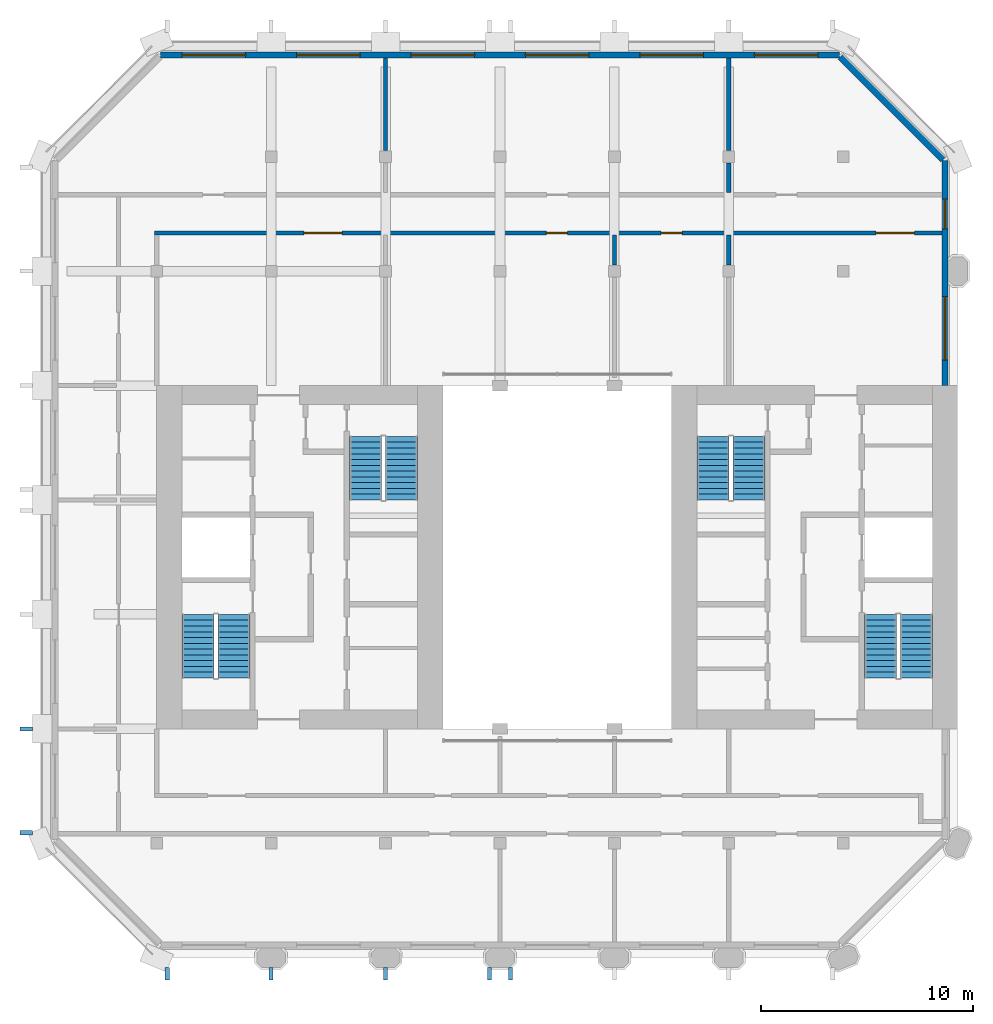
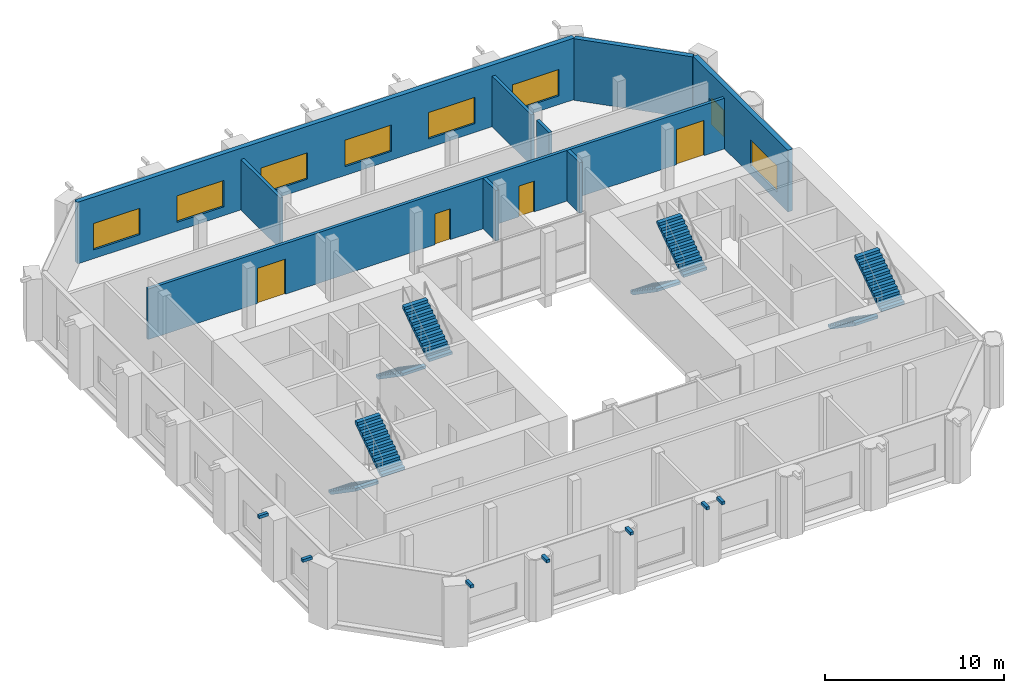
# One storey, part 9 of 12: 9 walls, 8 stair flights, 8 windows, 7 discrete accessories, 4 doors, 12 openings, 4 elements without a shape of their own.
"""IFC4 building model written with IfcOpenShell, lengths in metres."""

from ifc_helpers import new_model, si_unit, direction, frame, frame_2d, origin, origin_2d, place, context, subcontext, project, spatial, polyline, rectangle, outline, extrude, material, layer, layer_set, type_object, element, fill, aggregate, save


model = new_model("IFC4")

# Units and contexts
model_context = context("Model", 3, precision=1e-05, world=origin(), true_north=direction((0.0, 1.0)))
body_context = subcontext(model_context, "Body", "Model", "MODEL_VIEW")
ifc_project = project(units=[si_unit("LENGTHUNIT", "METRE"), si_unit("AREAUNIT", "SQUARE_METRE"), si_unit("VOLUMEUNIT", "CUBIC_METRE"), si_unit("PLANEANGLEUNIT", "RADIAN"), si_unit("MASSUNIT", "GRAM", prefix="KILO")], contexts=[model_context])

# Site, building, storey
site_placement = place(None, origin())
site = spatial("IfcSite", under=ifc_project, at=site_placement, CompositionType="ELEMENT")
building_placement = place(site_placement, origin())
building = spatial("IfcBuilding", under=site, at=building_placement, Name="Tabaq Tower and Sports Hall", CompositionType="ELEMENT")
storey_placement = place(building_placement, frame((0.0, 0.0, 317.199951171875)))
storey = spatial("IfcBuildingStorey", under=building, at=storey_placement, Name="L79", CompositionType="ELEMENT", Elevation=317.199951171875)

# Walls
ifc_material_1 = material(Name="Blockwork", Category="masonry")
ifc_layer_1 = layer(ifc_material_1, 0.199951171875)
ifc_layer_set_1 = layer_set([ifc_layer_1], Name="Fire compartment wall 200 Blockwork")
wall_type_1 = type_object("IfcWallType", Name="Fire compartment wall 200 Blockwork", PredefinedType="PARTITIONING", material=ifc_layer_set_1)
wall_1_placement = place(storey_placement, frame((32.39990234375, 47.84912109375, 0.0), z_axis=(0.0, 0.0, 1.0), x_axis=(0.0, -1.0, 0.0)))
element("IfcWall", 1, at=wall_1_placement, inside=storey, type_object=wall_type_1, Name="Compartment wall L79", PredefinedType="PARTITIONING", context=body_context, shape_type="SweptSolid", body=[
    extrude(rectangle(XDim=4.35400390625, YDim=0.199951171875, at=frame_2d((2.177001953125, 0.0))), origin(), (0.0, 0.0, 1.0), 3.449951171875),
])
wall_2_placement = place(storey_placement, frame((32.39990234375, 42.905029296875, 0.0), z_axis=(0.0, 0.0, 1.0), x_axis=(0.0, -1.0, 0.0)))
element("IfcWall", 2, at=wall_2_placement, inside=storey, type_object=wall_type_1, Name="Compartment wall L79", PredefinedType="PARTITIONING", context=body_context, shape_type="SweptSolid", body=[
    extrude(rectangle(XDim=1.405029296875, YDim=0.199951171875, at=frame_2d((0.70263671875, 0.0))), origin(), (0.0, 0.0, 1.0), 3.449951171875),
])
wall_3_placement = place(storey_placement, frame((16.199951171875, 47.84912109375, 0.0), z_axis=(0.0, 0.0, 1.0), x_axis=(0.0, -1.0, 0.0)))
element("IfcWall", 3, at=wall_3_placement, inside=storey, type_object=wall_type_1, Name="Compartment wall L79", PredefinedType="PARTITIONING", context=body_context, shape_type="SweptSolid", body=[
    extrude(rectangle(XDim=4.35400390625, YDim=0.199951171875, at=frame_2d((2.177001953125, 0.0))), origin(), (0.0, 0.0, 1.0), 3.449951171875),
])
for number, where, z_axis, x_axis, name in (
    (4, (32.39990234375, 38.094970703125, 0.0), (0.0, 0.0, 1.0), (0.0, 1.0, 0.0), "Compartment wall L79"),
    (5, (27.0, 39.5, 0.0), (0.0, 0.0, 1.0), (0.0, -1.0, 0.0), "Compartment wall L79"),
):
    element("IfcWall", number, at=place(storey_placement, frame(where, z_axis=z_axis, x_axis=x_axis)), inside=storey, type_object=wall_type_1, Name=name, PredefinedType="PARTITIONING", context=body_context, shape_type="SweptSolid", body=[
        extrude(rectangle(XDim=1.405029296875, YDim=0.199951171875, at=frame_2d((0.70263671875, 0.0))), origin(), (0.0, 0.0, 1.0), 3.449951171875),
    ])

# Wall, openings, doors
wall_4_placement = place(storey_placement, frame((42.448974609375, 39.60009765625, 0.0), z_axis=(0.0, 0.0, 1.0), x_axis=(-1.0, 0.0, 0.0)))
wall_4 = element("IfcWall", 6, at=wall_4_placement, inside=storey, type_object=wall_type_1, Name="Compartment wall L79", PredefinedType="PARTITIONING", context=body_context, shape_type="SweptSolid", body=[
    extrude(rectangle(XDim=37.14892578125, YDim=0.199951171875, at=frame_2d((18.574462890625, 0.0))), origin(), (0.0, 0.0, 1.0), 3.449951171875),
])
opening_1_placement = place(wall_4_placement, frame((12.2490234375, 0.0, 0.0)))
opening_1 = element("IfcOpeningElement", 7, at=opening_1_placement, cuts=wall_4, Name="Opening L79-005", PredefinedType="OPENING", context=body_context, shape_type="SweptSolid", body=[
    extrude(rectangle(XDim=1.0, YDim=2.10009765625, at=frame_2d((0.5, 1.050048828125))), frame((0.0, 0.10009765625, 0.0), z_axis=(0.0, -1.0, 0.0), x_axis=(1.0, 0.0, 0.0)), (0.0, 0.0, 1.0), 0.199951171875),
])
opening_2_placement = place(wall_4_placement, frame((17.666015625, 0.0, 0.0)))
opening_2 = element("IfcOpeningElement", 8, at=opening_2_placement, cuts=wall_4, Name="Opening L79-006", PredefinedType="OPENING", context=body_context, shape_type="SweptSolid", body=[
    extrude(rectangle(XDim=1.0, YDim=2.10009765625, at=frame_2d((0.5, 1.050048828125))), frame((0.0, 0.10009765625, 0.0), z_axis=(0.0, -1.0, 0.0), x_axis=(1.0, 0.0, 0.0)), (0.0, 0.0, 1.0), 0.199951171875),
])
opening_3_placement = place(wall_4_placement, frame((1.299072265625, 0.0, 0.0)))
opening_3 = element("IfcOpeningElement", 9, at=opening_3_placement, cuts=wall_4, Name="Opening L79-017", PredefinedType="OPENING", context=body_context, shape_type="SweptSolid", body=[
    extrude(rectangle(XDim=1.800048828125, YDim=2.39990234375, at=frame_2d((0.89990234375, 1.199951171875))), frame((0.0, 0.10009765625, 0.0), z_axis=(0.0, -1.0, 0.0), x_axis=(1.0, 0.0, 0.0)), (0.0, 0.0, 1.0), 0.199951171875),
])
opening_4_placement = place(wall_4_placement, frame((28.299072265625, 0.0, 0.0)))
opening_4 = element("IfcOpeningElement", 10, at=opening_4_placement, cuts=wall_4, Name="Opening L79-018", PredefinedType="OPENING", context=body_context, shape_type="SweptSolid", body=[
    extrude(rectangle(XDim=1.800048828125, YDim=2.39990234375, at=frame_2d((0.89990234375, 1.199951171875))), frame((0.0, 0.10009765625, 0.0), z_axis=(0.0, -1.0, 0.0), x_axis=(1.0, 0.0, 0.0)), (0.0, 0.0, 1.0), 0.199951171875),
])
ifc_material_2 = material(Name="Steel fire door", Category="steel")
door_type_1 = type_object("IfcDoorType", Name="Plant room door 1000 left hand", OperationType="SINGLE_SWING_LEFT", PredefinedType="DOOR", material=ifc_material_2)
door_1_placement = place(opening_2_placement, origin())
door_1 = element("IfcDoor", 11, at=door_1_placement, inside=storey, type_object=door_type_1, Name="Plant room door L79-006", OperationType="SINGLE_SWING_LEFT", OverallHeight=2.10009765625, OverallWidth=1.0, PredefinedType="DOOR", context=body_context, shape_type="SweptSolid", body=[
    extrude(rectangle(XDim=1.0, YDim=2.10009765625, at=frame_2d((0.5, 1.050048828125))), frame((0.0, 0.02490234375, 0.0), z_axis=(0.0, -1.0, 0.0), x_axis=(1.0, 0.0, 0.0)), (0.0, 0.0, 1.0), 0.050048828125),
])
fill(opening_2, door_1)
ifc_material_3 = material(Name="Steel fire door", Category="steel")
door_type_2 = type_object("IfcDoorType", Name="Plant room door 1000 right hand", OperationType="SINGLE_SWING_RIGHT", PredefinedType="DOOR", material=ifc_material_3)
door_2_placement = place(opening_1_placement, origin())
door_2 = element("IfcDoor", 12, at=door_2_placement, inside=storey, type_object=door_type_2, Name="Plant room door L79-005", OperationType="SINGLE_SWING_RIGHT", OverallHeight=2.10009765625, OverallWidth=1.0, PredefinedType="DOOR", context=body_context, shape_type="SweptSolid", body=[
    extrude(rectangle(XDim=1.0, YDim=2.10009765625, at=frame_2d((0.5, 1.050048828125))), frame((0.0, 0.02490234375, 0.0), z_axis=(0.0, -1.0, 0.0), x_axis=(1.0, 0.0, 0.0)), (0.0, 0.0, 1.0), 0.050048828125),
])
fill(opening_1, door_2)
ifc_material_4 = material(Name="Steel fire door", Category="steel")
door_type_3 = type_object("IfcDoorType", Name="Plant room door 1800", OperationType="DOUBLE_DOOR_SINGLE_SWING", PredefinedType="DOOR", material=ifc_material_4)
door_3_placement = place(opening_3_placement, origin())
door_3 = element("IfcDoor", 13, at=door_3_placement, inside=storey, type_object=door_type_3, Name="Plant room door L79-017", OperationType="DOUBLE_DOOR_SINGLE_SWING", OverallHeight=2.39990234375, OverallWidth=1.800048828125, PredefinedType="DOOR", context=body_context, shape_type="SweptSolid", body=[
    extrude(rectangle(XDim=1.800048828125, YDim=2.39990234375, at=frame_2d((0.89990234375, 1.199951171875))), frame((0.0, 0.02490234375, 0.0), z_axis=(0.0, -1.0, 0.0), x_axis=(1.0, 0.0, 0.0)), (0.0, 0.0, 1.0), 0.050048828125),
])
fill(opening_3, door_3)
door_4_placement = place(opening_4_placement, origin())
door_4 = element("IfcDoor", 14, at=door_4_placement, inside=storey, type_object=door_type_3, Name="Plant room door L79-018", OperationType="DOUBLE_DOOR_SINGLE_SWING", OverallHeight=2.39990234375, OverallWidth=1.800048828125, PredefinedType="DOOR", context=body_context, shape_type="SweptSolid", body=[
    extrude(rectangle(XDim=1.800048828125, YDim=2.39990234375, at=frame_2d((0.89990234375, 1.199951171875))), frame((0.0, 0.02490234375, 0.0), z_axis=(0.0, -1.0, 0.0), x_axis=(1.0, 0.0, 0.0)), (0.0, 0.0, 1.0), 0.050048828125),
])
fill(opening_4, door_4)

# Wall, openings, windows
ifc_material_5 = material(Name="White precast concrete C60/75", Category="concrete")
ifc_layer_2 = layer(ifc_material_5, 0.300048828125)
ifc_layer_set_2 = layer_set([ifc_layer_2], Name="White precast concrete C60/75 external wall 300")
wall_type_2 = type_object("IfcWallType", Name="White precast concrete C60/75 external wall 300", PredefinedType="SOLIDWALL", material=ifc_layer_set_2)
wall_5_placement = place(storey_placement, frame((42.60009765625, 32.39990234375, 0.0), z_axis=(0.0, 0.0, 1.0), x_axis=(0.0, 1.0, 0.0)))
wall_5 = element("IfcWall", 15, at=wall_5_placement, inside=storey, type_object=wall_type_2, Name="External Wall L79 E", PredefinedType="SOLIDWALL", context=body_context, shape_type="SweptSolid", body=[
    extrude(outline(polyline([(0.0, 0.0), (10.61376953125, 0.0), (10.613525390625, 4.199951171875), (10.02392578125, 4.199951171875), (9.434326171875, 4.199951171875), (8.8447265625, 4.199951171875), (8.255126953125, 4.199951171875), (7.665283203125, 4.199951171875), (7.07568359375, 4.199951171875), (6.486083984375, 4.199951171875), (5.896484375, 4.199951171875), (5.306884765625, 4.199951171875), (4.717041015625, 4.199951171875), (4.12744140625, 4.199951171875), (3.537841796875, 4.199951171875), (2.9482421875, 4.199951171875), (2.358642578125, 4.199951171875), (1.76904296875, 4.199951171875), (1.17919921875, 4.199951171875), (0.589599609375, 4.199951171875), (0.0, 4.199951171875), (0.0, 0.0)])), frame((0.0, 0.14990234375, 0.0), z_axis=(0.0, -1.0, 0.0), x_axis=(1.0, 0.0, 0.0)), (0.0, 0.0, 1.0), 0.300048828125),
])
opening_5_placement = place(wall_5_placement, frame((1.199951171875, 0.0, 0.60009765625)))
opening_5 = element("IfcOpeningElement", 16, at=opening_5_placement, cuts=wall_5, Name="Opening LV1", PredefinedType="OPENING", context=body_context, shape_type="SweptSolid", body=[
    extrude(rectangle(XDim=3.0, YDim=1.800048828125, at=frame_2d((1.5, 0.89990234375))), frame((0.0, 0.16015625, 0.0), z_axis=(0.0, -1.0, 0.0), x_axis=(1.0, 0.0, 0.0)), (0.0, 0.0, 1.0), 0.320068359375),
])
opening_6_placement = place(wall_5_placement, frame((7.396484375, 0.0, 0.60009765625)))
opening_6 = element("IfcOpeningElement", 17, at=opening_6_placement, cuts=wall_5, Name="Opening LV3", PredefinedType="OPENING", context=body_context, shape_type="SweptSolid", body=[
    extrude(rectangle(XDim=1.39990234375, YDim=1.800048828125, at=frame_2d((0.699951171875, 0.89990234375))), frame((0.0, 0.16015625, 0.0), z_axis=(0.0, -1.0, 0.0), x_axis=(1.0, 0.0, 0.0)), (0.0, 0.0, 1.0), 0.320068359375),
])
ifc_material_6 = material(Name="Aluminium alloy 6063-T6 louvre blades", Category="aluminium")
window_type_1 = type_object("IfcWindowType", Name="Plant louvre LV1", PartitioningType="SINGLE_PANEL", PredefinedType="WINDOW", material=ifc_material_6)
window_1_placement = place(opening_5_placement, origin())
window_1 = element("IfcWindow", 18, at=window_1_placement, inside=storey, type_object=window_type_1, Name="Plant louvre L79", OverallHeight=1.800048828125, OverallWidth=3.0, PartitioningType="SINGLE_PANEL", PredefinedType="WINDOW", context=body_context, shape_type="SweptSolid", body=[
    extrude(rectangle(XDim=3.0, YDim=1.800048828125, at=frame_2d((1.5, 0.89990234375))), frame((0.0, 0.030029296875, 0.0), z_axis=(0.0, -1.0, 0.0), x_axis=(1.0, 0.0, 0.0)), (0.0, 0.0, 1.0), 0.06005859375),
])
fill(opening_5, window_1)
ifc_material_7 = material(Name="Aluminium alloy 6063-T6 louvre blades", Category="aluminium")
window_type_2 = type_object("IfcWindowType", Name="Plant louvre LV3", PartitioningType="SINGLE_PANEL", PredefinedType="WINDOW", material=ifc_material_7)
window_2_placement = place(opening_6_placement, origin())
window_2 = element("IfcWindow", 19, at=window_2_placement, inside=storey, type_object=window_type_2, Name="Plant louvre L79", OverallHeight=1.800048828125, OverallWidth=1.39990234375, PartitioningType="SINGLE_PANEL", PredefinedType="WINDOW", context=body_context, shape_type="SweptSolid", body=[
    extrude(rectangle(XDim=1.39990234375, YDim=1.800048828125, at=frame_2d((0.699951171875, 0.89990234375))), frame((0.0, 0.030029296875, 0.0), z_axis=(0.0, -1.0, 0.0), x_axis=(1.0, 0.0, 0.0)), (0.0, 0.0, 1.0), 0.06005859375),
])
fill(opening_6, window_2)

# Wall
wall_6_placement = place(storey_placement, frame((42.5009765625, 43.050537109375, 0.0), z_axis=(0.0, 0.0, 1.0), x_axis=(-0.707106781187, 0.707106781187, 0.0)))
element("IfcWall", 20, at=wall_6_placement, inside=storey, type_object=wall_type_2, Name="External Wall L79 NE", PredefinedType="SOLIDWALL", context=body_context, shape_type="SweptSolid", body=[
    extrude(outline(polyline([(0.0, 0.0), (6.85986328125, 0.0), (6.859619140625, 4.199951171875), (6.2880859375, 4.199951171875), (5.71630859375, 4.199951171875), (5.144775390625, 4.199951171875), (4.5732421875, 4.199951171875), (4.00146484375, 4.199951171875), (3.429931640625, 4.199951171875), (2.858154296875, 4.199951171875), (2.28662109375, 4.199951171875), (1.71484375, 4.199951171875), (1.143310546875, 4.199951171875), (0.571533203125, 4.199951171875), (0.0, 4.199951171875), (0.0, 0.0)])), frame((0.0, 0.14990234375, 0.0), z_axis=(0.0, -1.0, 0.0), x_axis=(1.0, 0.0, 0.0)), (0.0, 0.0, 1.0), 0.300048828125),
])

# Wall, openings, windows
wall_7_placement = place(storey_placement, frame((37.613525390625, 48.0, 0.0), z_axis=(0.0, 0.0, 1.0), x_axis=(-1.0, 0.0, 0.0)))
wall_7 = element("IfcWall", 21, at=wall_7_placement, inside=storey, type_object=wall_type_2, Name="External Wall L79 N", PredefinedType="SOLIDWALL", context=body_context, shape_type="SweptSolid", body=[
    extrude(outline(polyline([(0.0, 0.0), (32.027099609375, 0.0), (32.027099609375, 4.199951171875), (31.43408203125, 4.199951171875), (30.841064453125, 4.199951171875), (30.247802734375, 4.199951171875), (29.65478515625, 4.199951171875), (29.061767578125, 4.199951171875), (28.46875, 4.199951171875), (27.87548828125, 4.199951171875), (27.282470703125, 4.199951171875), (26.689453125, 4.199951171875), (26.09619140625, 4.199951171875), (25.503173828125, 4.199951171875), (24.91015625, 4.199951171875), (24.31689453125, 4.199951171875), (23.723876953125, 4.199951171875), (23.130859375, 4.199951171875), (22.53759765625, 4.199951171875), (21.944580078125, 4.199951171875), (21.3515625, 4.199951171875), (20.75830078125, 4.199951171875), (20.165283203125, 4.199951171875), (19.572265625, 4.199951171875), (18.97900390625, 4.199951171875), (18.385986328125, 4.199951171875), (17.79296875, 4.199951171875), (17.19970703125, 4.199951171875), (16.606689453125, 4.199951171875), (16.013671875, 4.199951171875), (15.42041015625, 4.199951171875), (14.827392578125, 4.199951171875), (14.234375, 4.199951171875), (13.64111328125, 4.199951171875), (13.048095703125, 4.199951171875), (12.455078125, 4.199951171875), (11.86181640625, 4.199951171875), (11.268798828125, 4.199951171875), (10.67578125, 4.199951171875), (10.08251953125, 4.199951171875), (9.489501953125, 4.199951171875), (8.896484375, 4.199951171875), (8.303466796875, 4.199951171875), (7.710205078125, 4.199951171875), (7.1171875, 4.199951171875), (6.524169921875, 4.199951171875), (5.930908203125, 4.199951171875), (5.337890625, 4.199951171875), (4.744873046875, 4.199951171875), (4.151611328125, 4.199951171875), (3.55859375, 4.199951171875), (2.965576171875, 4.199951171875), (2.372314453125, 4.199951171875), (1.779296875, 4.199951171875), (1.186279296875, 4.199951171875), (0.593017578125, 4.199951171875), (0.0, 4.199951171875), (0.0, 0.0)])), frame((0.0, 0.14990234375, 0.0), z_axis=(0.0, -1.0, 0.0), x_axis=(1.0, 0.0, 0.0)), (0.0, 0.0, 1.0), 0.300048828125),
])
opening_7_placement = place(wall_7_placement, frame((1.013671875, 0.0, 0.60009765625)))
opening_7 = element("IfcOpeningElement", 22, at=opening_7_placement, cuts=wall_7, Name="Opening LV1", PredefinedType="OPENING", context=body_context, shape_type="SweptSolid", body=[
    extrude(rectangle(XDim=3.0, YDim=1.800048828125, at=frame_2d((1.5, 0.89990234375))), frame((0.0, 0.16015625, 0.0), z_axis=(0.0, -1.0, 0.0), x_axis=(1.0, 0.0, 0.0)), (0.0, 0.0, 1.0), 0.320068359375),
])
opening_8_placement = place(wall_7_placement, frame((6.41357421875, 0.0, 0.60009765625)))
opening_8 = element("IfcOpeningElement", 23, at=opening_8_placement, cuts=wall_7, Name="Opening LV1", PredefinedType="OPENING", context=body_context, shape_type="SweptSolid", body=[
    extrude(rectangle(XDim=3.0, YDim=1.800048828125, at=frame_2d((1.5, 0.89990234375))), frame((0.0, 0.16015625, 0.0), z_axis=(0.0, -1.0, 0.0), x_axis=(1.0, 0.0, 0.0)), (0.0, 0.0, 1.0), 0.320068359375),
])
opening_9_placement = place(wall_7_placement, frame((11.813720703125, 0.0, 0.60009765625)))
opening_9 = element("IfcOpeningElement", 24, at=opening_9_placement, cuts=wall_7, Name="Opening LV1", PredefinedType="OPENING", context=body_context, shape_type="SweptSolid", body=[
    extrude(rectangle(XDim=3.0, YDim=1.800048828125, at=frame_2d((1.5, 0.89990234375))), frame((0.0, 0.16015625, 0.0), z_axis=(0.0, -1.0, 0.0), x_axis=(1.0, 0.0, 0.0)), (0.0, 0.0, 1.0), 0.320068359375),
])
opening_10_placement = place(wall_7_placement, frame((17.213623046875, 0.0, 0.60009765625)))
opening_10 = element("IfcOpeningElement", 25, at=opening_10_placement, cuts=wall_7, Name="Opening LV1", PredefinedType="OPENING", context=body_context, shape_type="SweptSolid", body=[
    extrude(rectangle(XDim=3.0, YDim=1.800048828125, at=frame_2d((1.5, 0.89990234375))), frame((0.0, 0.16015625, 0.0), z_axis=(0.0, -1.0, 0.0), x_axis=(1.0, 0.0, 0.0)), (0.0, 0.0, 1.0), 0.320068359375),
])
opening_11_placement = place(wall_7_placement, frame((22.613525390625, 0.0, 0.60009765625)))
opening_11 = element("IfcOpeningElement", 26, at=opening_11_placement, cuts=wall_7, Name="Opening LV1", PredefinedType="OPENING", context=body_context, shape_type="SweptSolid", body=[
    extrude(rectangle(XDim=3.0, YDim=1.800048828125, at=frame_2d((1.5, 0.89990234375))), frame((0.0, 0.16015625, 0.0), z_axis=(0.0, -1.0, 0.0), x_axis=(1.0, 0.0, 0.0)), (0.0, 0.0, 1.0), 0.320068359375),
])
opening_12_placement = place(wall_7_placement, frame((28.013671875, 0.0, 0.60009765625)))
opening_12 = element("IfcOpeningElement", 27, at=opening_12_placement, cuts=wall_7, Name="Opening LV1", PredefinedType="OPENING", context=body_context, shape_type="SweptSolid", body=[
    extrude(rectangle(XDim=3.0, YDim=1.800048828125, at=frame_2d((1.5, 0.89990234375))), frame((0.0, 0.16015625, 0.0), z_axis=(0.0, -1.0, 0.0), x_axis=(1.0, 0.0, 0.0)), (0.0, 0.0, 1.0), 0.320068359375),
])
window_3_placement = place(opening_7_placement, origin())
window_3 = element("IfcWindow", 28, at=window_3_placement, inside=storey, type_object=window_type_1, Name="Plant louvre L79", OverallHeight=1.800048828125, OverallWidth=3.0, PartitioningType="SINGLE_PANEL", PredefinedType="WINDOW", context=body_context, shape_type="SweptSolid", body=[
    extrude(rectangle(XDim=3.0, YDim=1.800048828125, at=frame_2d((1.5, 0.89990234375))), frame((0.0, 0.030029296875, 0.0), z_axis=(0.0, -1.0, 0.0), x_axis=(1.0, 0.0, 0.0)), (0.0, 0.0, 1.0), 0.06005859375),
])
fill(opening_7, window_3)
window_4_placement = place(opening_8_placement, origin())
window_4 = element("IfcWindow", 29, at=window_4_placement, inside=storey, type_object=window_type_1, Name="Plant louvre L79", OverallHeight=1.800048828125, OverallWidth=3.0, PartitioningType="SINGLE_PANEL", PredefinedType="WINDOW", context=body_context, shape_type="SweptSolid", body=[
    extrude(rectangle(XDim=3.0, YDim=1.800048828125, at=frame_2d((1.5, 0.89990234375))), frame((0.0, 0.030029296875, 0.0), z_axis=(0.0, -1.0, 0.0), x_axis=(1.0, 0.0, 0.0)), (0.0, 0.0, 1.0), 0.06005859375),
])
fill(opening_8, window_4)
window_5_placement = place(opening_9_placement, origin())
window_5 = element("IfcWindow", 30, at=window_5_placement, inside=storey, type_object=window_type_1, Name="Plant louvre L79", OverallHeight=1.800048828125, OverallWidth=3.0, PartitioningType="SINGLE_PANEL", PredefinedType="WINDOW", context=body_context, shape_type="SweptSolid", body=[
    extrude(rectangle(XDim=3.0, YDim=1.800048828125, at=frame_2d((1.5, 0.89990234375))), frame((0.0, 0.030029296875, 0.0), z_axis=(0.0, -1.0, 0.0), x_axis=(1.0, 0.0, 0.0)), (0.0, 0.0, 1.0), 0.06005859375),
])
fill(opening_9, window_5)
window_6_placement = place(opening_10_placement, origin())
window_6 = element("IfcWindow", 31, at=window_6_placement, inside=storey, type_object=window_type_1, Name="Plant louvre L79", OverallHeight=1.800048828125, OverallWidth=3.0, PartitioningType="SINGLE_PANEL", PredefinedType="WINDOW", context=body_context, shape_type="SweptSolid", body=[
    extrude(rectangle(XDim=3.0, YDim=1.800048828125, at=frame_2d((1.5, 0.89990234375))), frame((0.0, 0.030029296875, 0.0), z_axis=(0.0, -1.0, 0.0), x_axis=(1.0, 0.0, 0.0)), (0.0, 0.0, 1.0), 0.06005859375),
])
fill(opening_10, window_6)
window_7_placement = place(opening_11_placement, origin())
window_7 = element("IfcWindow", 32, at=window_7_placement, inside=storey, type_object=window_type_1, Name="Plant louvre L79", OverallHeight=1.800048828125, OverallWidth=3.0, PartitioningType="SINGLE_PANEL", PredefinedType="WINDOW", context=body_context, shape_type="SweptSolid", body=[
    extrude(rectangle(XDim=3.0, YDim=1.800048828125, at=frame_2d((1.5, 0.89990234375))), frame((0.0, 0.030029296875, 0.0), z_axis=(0.0, -1.0, 0.0), x_axis=(1.0, 0.0, 0.0)), (0.0, 0.0, 1.0), 0.06005859375),
])
fill(opening_11, window_7)
window_8_placement = place(opening_12_placement, origin())
window_8 = element("IfcWindow", 33, at=window_8_placement, inside=storey, type_object=window_type_1, Name="Plant louvre L79", OverallHeight=1.800048828125, OverallWidth=3.0, PartitioningType="SINGLE_PANEL", PredefinedType="WINDOW", context=body_context, shape_type="SweptSolid", body=[
    extrude(rectangle(XDim=3.0, YDim=1.800048828125, at=frame_2d((1.5, 0.89990234375))), frame((0.0, 0.030029296875, 0.0), z_axis=(0.0, -1.0, 0.0), x_axis=(1.0, 0.0, 0.0)), (0.0, 0.0, 1.0), 0.06005859375),
])
fill(opening_12, window_8)

# Stair, stair flights
ifc_material_8 = material(Name="Concrete C40/50", Category="concrete")
stair_type = type_object("IfcStairType", Name="Exit stair", PredefinedType="HALF_TURN_STAIR", material=ifc_material_8)
stair_1_placement = place(storey_placement, origin())
stair_1 = element("IfcStair", 34, at=stair_1_placement, inside=storey, type_object=stair_type, Name="L79 Exit stair ST1", PredefinedType="HALF_TURN_STAIR")
ifc_material_9 = material(Name="Concrete C40/50", Category="concrete")
stair_flight_type = type_object("IfcStairFlightType", Name="Exit stair flight", PredefinedType="STRAIGHT", material=ifc_material_9)
stair_flight_1_placement = place(storey_placement, frame((7.35009765625, 21.60009765625, 0.0), z_axis=(0.0, 0.0, 1.0), x_axis=(0.0, -1.0, 0.0)))
stair_flight_1 = element("IfcStairFlight", 35, at=stair_flight_1_placement, type_object=stair_flight_type, Name="ST1 flight 1", NumberOfRisers=12, NumberOfTreads=11, PredefinedType="STRAIGHT", RiserHeight=0.1875, TreadLength=0.272727273, context=body_context, shape_type="SweptSolid", body=[
    extrude(outline(polyline([(0.0, 0.0), (0.0, 0.1875), (0.272705078125, 0.1875), (0.272705078125, 0.375), (0.54541015625, 0.375), (0.54541015625, 0.5625), (0.818115234375, 0.5625), (0.818115234375, 0.75), (1.0908203125, 0.75), (1.0908203125, 0.9375), (1.363525390625, 0.9375), (1.363525390625, 1.125), (1.636474609375, 1.125), (1.636474609375, 1.3125), (1.9091796875, 1.3125), (1.9091796875, 1.5), (2.181884765625, 1.5), (2.181884765625, 1.6875), (2.45458984375, 1.6875), (2.45458984375, 1.875), (2.727294921875, 1.875), (2.727294921875, 2.0625), (3.0, 2.0625), (3.0, 2.25), (3.0, 1.880615234375), (0.2646484375, 0.0), (0.0, 0.0)])), frame((0.0, 0.75, 0.0), z_axis=(0.0, -1.0, 0.0), x_axis=(1.0, 0.0, 0.0)), (0.0, 0.0, 1.0), 1.5),
])
stair_flight_2_placement = place(storey_placement, frame((9.050048828125, 18.60009765625, 2.25), z_axis=(0.0, 0.0, 1.0), x_axis=(0.0, 1.0, 0.0)))
stair_flight_2 = element("IfcStairFlight", 36, at=stair_flight_2_placement, type_object=stair_flight_type, Name="ST1 flight 2", NumberOfRisers=12, NumberOfTreads=11, PredefinedType="STRAIGHT", RiserHeight=0.1875, TreadLength=0.272727273, context=body_context, shape_type="SweptSolid", body=[
    extrude(outline(polyline([(0.0, 0.0), (0.0, 0.1875), (0.272705078125, 0.1875), (0.272705078125, 0.375), (0.54541015625, 0.375), (0.54541015625, 0.5625), (0.818115234375, 0.5625), (0.818115234375, 0.75), (1.0908203125, 0.75), (1.0908203125, 0.9375), (1.363525390625, 0.9375), (1.363525390625, 1.125), (1.636474609375, 1.125), (1.636474609375, 1.3125), (1.9091796875, 1.3125), (1.9091796875, 1.5), (2.181884765625, 1.5), (2.181884765625, 1.6875), (2.45458984375, 1.6875), (2.45458984375, 1.875), (2.727294921875, 1.875), (2.727294921875, 2.0625), (3.0, 2.0625), (3.0, 2.25), (3.0, 1.880615234375), (0.2646484375, 0.0), (0.0, 0.0)])), frame((0.0, 0.75, 0.0), z_axis=(0.0, -1.0, 0.0), x_axis=(1.0, 0.0, 0.0)), (0.0, 0.0, 1.0), 1.5),
])
aggregate(stair_1, [stair_flight_1, stair_flight_2])

stair_2_placement = place(storey_placement, origin())
stair_2 = element("IfcStair", 37, at=stair_2_placement, inside=storey, type_object=stair_type, Name="L79 Exit stair ST2", PredefinedType="HALF_TURN_STAIR")
stair_flight_3_placement = place(storey_placement, frame((15.25, 30.0, 0.0), z_axis=(0.0, 0.0, 1.0), x_axis=(0.0, -1.0, 0.0)))
stair_flight_3 = element("IfcStairFlight", 38, at=stair_flight_3_placement, type_object=stair_flight_type, Name="ST2 flight 1", NumberOfRisers=12, NumberOfTreads=11, PredefinedType="STRAIGHT", RiserHeight=0.1875, TreadLength=0.272727273, context=body_context, shape_type="SweptSolid", body=[
    extrude(outline(polyline([(0.0, 0.0), (0.0, 0.1875), (0.272705078125, 0.1875), (0.272705078125, 0.375), (0.54541015625, 0.375), (0.54541015625, 0.5625), (0.818115234375, 0.5625), (0.818115234375, 0.75), (1.0908203125, 0.75), (1.0908203125, 0.9375), (1.363525390625, 0.9375), (1.363525390625, 1.125), (1.636474609375, 1.125), (1.636474609375, 1.3125), (1.9091796875, 1.3125), (1.9091796875, 1.5), (2.181884765625, 1.5), (2.181884765625, 1.6875), (2.45458984375, 1.6875), (2.45458984375, 1.875), (2.727294921875, 1.875), (2.727294921875, 2.0625), (3.0, 2.0625), (3.0, 2.25), (3.0, 1.880615234375), (0.2646484375, 0.0), (0.0, 0.0)])), frame((0.0, 0.75, 0.0), z_axis=(0.0, -1.0, 0.0), x_axis=(1.0, 0.0, 0.0)), (0.0, 0.0, 1.0), 1.5),
])
stair_flight_4_placement = place(storey_placement, frame((16.949951171875, 27.0, 2.25), z_axis=(0.0, 0.0, 1.0), x_axis=(0.0, 1.0, 0.0)))
stair_flight_4 = element("IfcStairFlight", 39, at=stair_flight_4_placement, type_object=stair_flight_type, Name="ST2 flight 2", NumberOfRisers=12, NumberOfTreads=11, PredefinedType="STRAIGHT", RiserHeight=0.1875, TreadLength=0.272727273, context=body_context, shape_type="SweptSolid", body=[
    extrude(outline(polyline([(0.0, 0.0), (0.0, 0.1875), (0.272705078125, 0.1875), (0.272705078125, 0.375), (0.54541015625, 0.375), (0.54541015625, 0.5625), (0.818115234375, 0.5625), (0.818115234375, 0.75), (1.0908203125, 0.75), (1.0908203125, 0.9375), (1.363525390625, 0.9375), (1.363525390625, 1.125), (1.636474609375, 1.125), (1.636474609375, 1.3125), (1.9091796875, 1.3125), (1.9091796875, 1.5), (2.181884765625, 1.5), (2.181884765625, 1.6875), (2.45458984375, 1.6875), (2.45458984375, 1.875), (2.727294921875, 1.875), (2.727294921875, 2.0625), (3.0, 2.0625), (3.0, 2.25), (3.0, 1.880615234375), (0.2646484375, 0.0), (0.0, 0.0)])), frame((0.0, 0.75, 0.0), z_axis=(0.0, -1.0, 0.0), x_axis=(1.0, 0.0, 0.0)), (0.0, 0.0, 1.0), 1.5),
])
aggregate(stair_2, [stair_flight_3, stair_flight_4])

stair_3_placement = place(storey_placement, origin())
stair_3 = element("IfcStair", 40, at=stair_3_placement, inside=storey, type_object=stair_type, Name="L79 Exit stair ST3", PredefinedType="HALF_TURN_STAIR")
stair_flight_5_placement = place(storey_placement, frame((39.550048828125, 21.60009765625, 0.0), z_axis=(0.0, 0.0, 1.0), x_axis=(0.0, -1.0, 0.0)))
stair_flight_5 = element("IfcStairFlight", 41, at=stair_flight_5_placement, type_object=stair_flight_type, Name="ST3 flight 1", NumberOfRisers=12, NumberOfTreads=11, PredefinedType="STRAIGHT", RiserHeight=0.1875, TreadLength=0.272727273, context=body_context, shape_type="SweptSolid", body=[
    extrude(outline(polyline([(0.0, 0.0), (0.0, 0.1875), (0.272705078125, 0.1875), (0.272705078125, 0.375), (0.54541015625, 0.375), (0.54541015625, 0.5625), (0.818115234375, 0.5625), (0.818115234375, 0.75), (1.0908203125, 0.75), (1.0908203125, 0.9375), (1.363525390625, 0.9375), (1.363525390625, 1.125), (1.636474609375, 1.125), (1.636474609375, 1.3125), (1.9091796875, 1.3125), (1.9091796875, 1.5), (2.181884765625, 1.5), (2.181884765625, 1.6875), (2.45458984375, 1.6875), (2.45458984375, 1.875), (2.727294921875, 1.875), (2.727294921875, 2.0625), (3.0, 2.0625), (3.0, 2.25), (3.0, 1.880615234375), (0.2646484375, 0.0), (0.0, 0.0)])), frame((0.0, 0.75, 0.0), z_axis=(0.0, -1.0, 0.0), x_axis=(1.0, 0.0, 0.0)), (0.0, 0.0, 1.0), 1.5),
])
stair_flight_6_placement = place(storey_placement, frame((41.25, 18.60009765625, 2.25), z_axis=(0.0, 0.0, 1.0), x_axis=(0.0, 1.0, 0.0)))
stair_flight_6 = element("IfcStairFlight", 42, at=stair_flight_6_placement, type_object=stair_flight_type, Name="ST3 flight 2", NumberOfRisers=12, NumberOfTreads=11, PredefinedType="STRAIGHT", RiserHeight=0.1875, TreadLength=0.272727273, context=body_context, shape_type="SweptSolid", body=[
    extrude(outline(polyline([(0.0, 0.0), (0.0, 0.1875), (0.272705078125, 0.1875), (0.272705078125, 0.375), (0.54541015625, 0.375), (0.54541015625, 0.5625), (0.818115234375, 0.5625), (0.818115234375, 0.75), (1.0908203125, 0.75), (1.0908203125, 0.9375), (1.363525390625, 0.9375), (1.363525390625, 1.125), (1.636474609375, 1.125), (1.636474609375, 1.3125), (1.9091796875, 1.3125), (1.9091796875, 1.5), (2.181884765625, 1.5), (2.181884765625, 1.6875), (2.45458984375, 1.6875), (2.45458984375, 1.875), (2.727294921875, 1.875), (2.727294921875, 2.0625), (3.0, 2.0625), (3.0, 2.25), (3.0, 1.880615234375), (0.2646484375, 0.0), (0.0, 0.0)])), frame((0.0, 0.75, 0.0), z_axis=(0.0, -1.0, 0.0), x_axis=(1.0, 0.0, 0.0)), (0.0, 0.0, 1.0), 1.5),
])
aggregate(stair_3, [stair_flight_5, stair_flight_6])

stair_4_placement = place(storey_placement, origin())
stair_4 = element("IfcStair", 43, at=stair_4_placement, inside=storey, type_object=stair_type, Name="L79 Exit stair ST4", PredefinedType="HALF_TURN_STAIR")
stair_flight_7_placement = place(storey_placement, frame((31.64990234375, 30.0, 0.0), z_axis=(0.0, 0.0, 1.0), x_axis=(0.0, -1.0, 0.0)))
stair_flight_7 = element("IfcStairFlight", 44, at=stair_flight_7_placement, type_object=stair_flight_type, Name="ST4 flight 1", NumberOfRisers=12, NumberOfTreads=11, PredefinedType="STRAIGHT", RiserHeight=0.1875, TreadLength=0.272727273, context=body_context, shape_type="SweptSolid", body=[
    extrude(outline(polyline([(0.0, 0.0), (0.0, 0.1875), (0.272705078125, 0.1875), (0.272705078125, 0.375), (0.54541015625, 0.375), (0.54541015625, 0.5625), (0.818115234375, 0.5625), (0.818115234375, 0.75), (1.0908203125, 0.75), (1.0908203125, 0.9375), (1.363525390625, 0.9375), (1.363525390625, 1.125), (1.636474609375, 1.125), (1.636474609375, 1.3125), (1.9091796875, 1.3125), (1.9091796875, 1.5), (2.181884765625, 1.5), (2.181884765625, 1.6875), (2.45458984375, 1.6875), (2.45458984375, 1.875), (2.727294921875, 1.875), (2.727294921875, 2.0625), (3.0, 2.0625), (3.0, 2.25), (3.0, 1.880615234375), (0.2646484375, 0.0), (0.0, 0.0)])), frame((0.0, 0.75, 0.0), z_axis=(0.0, -1.0, 0.0), x_axis=(1.0, 0.0, 0.0)), (0.0, 0.0, 1.0), 1.5),
])
stair_flight_8_placement = place(storey_placement, frame((33.35009765625, 27.0, 2.25), z_axis=(0.0, 0.0, 1.0), x_axis=(0.0, 1.0, 0.0)))
stair_flight_8 = element("IfcStairFlight", 45, at=stair_flight_8_placement, type_object=stair_flight_type, Name="ST4 flight 2", NumberOfRisers=12, NumberOfTreads=11, PredefinedType="STRAIGHT", RiserHeight=0.1875, TreadLength=0.272727273, context=body_context, shape_type="SweptSolid", body=[
    extrude(outline(polyline([(0.0, 0.0), (0.0, 0.1875), (0.272705078125, 0.1875), (0.272705078125, 0.375), (0.54541015625, 0.375), (0.54541015625, 0.5625), (0.818115234375, 0.5625), (0.818115234375, 0.75), (1.0908203125, 0.75), (1.0908203125, 0.9375), (1.363525390625, 0.9375), (1.363525390625, 1.125), (1.636474609375, 1.125), (1.636474609375, 1.3125), (1.9091796875, 1.3125), (1.9091796875, 1.5), (2.181884765625, 1.5), (2.181884765625, 1.6875), (2.45458984375, 1.6875), (2.45458984375, 1.875), (2.727294921875, 1.875), (2.727294921875, 2.0625), (3.0, 2.0625), (3.0, 2.25), (3.0, 1.880615234375), (0.2646484375, 0.0), (0.0, 0.0)])), frame((0.0, 0.75, 0.0), z_axis=(0.0, -1.0, 0.0), x_axis=(1.0, 0.0, 0.0)), (0.0, 0.0, 1.0), 1.5),
])
aggregate(stair_4, [stair_flight_7, stair_flight_8])

# Discrete accessories
for number, where, z_axis, x_axis, name in (
    (46, (5.89990234375, 4.64990234375, 4.2001953125), (0.0, 0.0, 1.0), (0.0, -1.0, 0.0), "Stainless steel bracket"),
    (47, (10.800048828125, 4.64990234375, 4.2001953125), (0.0, 0.0, 1.0), (0.0, -1.0, 0.0), "Stainless steel bracket"),
    (48, (16.199951171875, 4.64990234375, 4.2001953125), (0.0, 0.0, 1.0), (0.0, -1.0, 0.0), "Stainless steel bracket"),
    (49, (21.10009765625, 4.64990234375, 4.2001953125), (0.0, 0.0, 1.0), (0.0, -1.0, 0.0), "Stainless steel bracket"),
    (50, (22.10009765625, 4.64990234375, 4.2001953125), (0.0, 0.0, 1.0), (0.0, -1.0, 0.0), "Stainless steel bracket"),
    (51, (-0.75, 16.199951171875, 4.2001953125), (0.0, 0.0, 1.0), (-1.0, 0.0, 0.0), "Stainless steel bracket"),
    (52, (-0.75, 11.300048828125, 4.2001953125), (0.0, 0.0, 1.0), (-1.0, 0.0, 0.0), "Stainless steel bracket"),
):
    element("IfcDiscreteAccessory", number, at=place(storey_placement, frame(where, z_axis=z_axis, x_axis=x_axis)), inside=storey, Name=name, PredefinedType="BRACKET", context=body_context, shape_type="SweptSolid", body=[
        extrude(rectangle(XDim=0.60009765625, YDim=0.199951171875, at=origin_2d()), origin(), (0.0, 0.0, 1.0), 0.199951171875),
    ])

save(model, "model.ifc")
